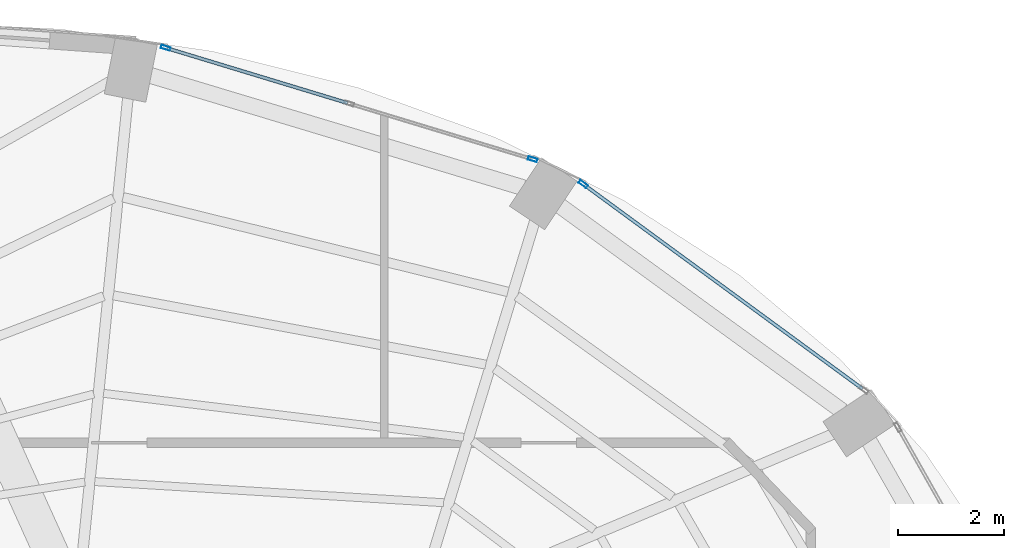
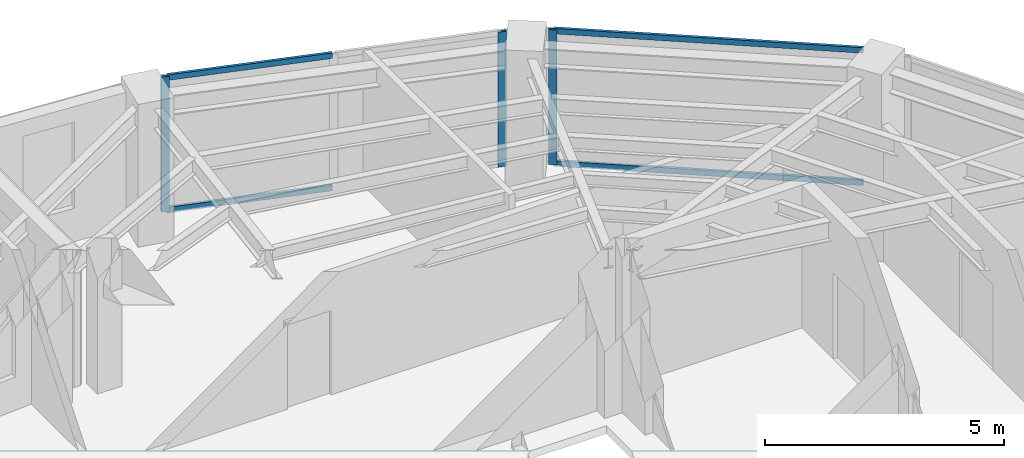
# One storey, part 17 of 23: 7 members, 2 elements without a shape of their own.
"""IFC4 building model written with IfcOpenShell, lengths in metres."""

import ifcopenshell
import ifcopenshell.guid

model = None  # the IFC model being written
_history = None  # IfcOwnerHistory: only IFC2X3 demands one
_inside = {}  # id of a spatial element -> (the spatial element, [elements in it])
_under = {}  # id of a project, library or spatial element -> (it, [spatial elements below it])
_declared = {}  # id of a project -> (the project, [libraries it declares])
_typed = {}  # id of a type object -> (the type object, [elements of that type])
_made_of = {}  # id of a material, layer set ... -> (it, [elements and type objects made of it])


def new_model(schema):
    """Start an empty IFC model of exactly this schema.

    Asked for "IFC4X3", IfcOpenShell would pick the latest addendum, in which some entities
    have other attributes; the version numbers below select the first issue.
    IFC2X3 requires an IfcOwnerHistory on every rooted entity: one is made here for all.
    """
    global model, _history
    if schema == "IFC4X3":
        model = ifcopenshell.file(schema_version=(4, 3, 0, 0))
    else:
        model = ifcopenshell.file(schema=schema)
    _inside.clear()
    _under.clear()
    _declared.clear()
    _typed.clear()
    _made_of.clear()
    _history = None
    if model.schema == "IFC2X3":
        org = make("IfcOrganization", Name="unknown")
        user = make(
            "IfcPersonAndOrganization",
            ThePerson=make("IfcPerson", FamilyName="unknown"),
            TheOrganization=org,
        )
        app = make(
            "IfcApplication",
            ApplicationDeveloper=org,
            Version="unknown",
            ApplicationFullName="unknown",
            ApplicationIdentifier="unknown",
        )
        _history = make(
            "IfcOwnerHistory",
            OwningUser=user,
            OwningApplication=app,
            ChangeAction="ADDED",
            CreationDate=0,
        )
    return model


def make(cls, **values):
    """One entity of the class cls with the attributes given. An attribute that is None is left unset."""
    return model.create_entity(
        cls, **{name: value for name, value in values.items() if value is not None}
    )


def rooted(cls, **values):
    """An entity with a GlobalId (a new one), such as an element, a storey or a relation."""
    return make(cls, GlobalId=ifcopenshell.guid.new(), OwnerHistory=_history, **values)


def si_unit(unit_type, name, prefix=None):
    """IfcSIUnit, for example si_unit("LENGTHUNIT", "METRE", prefix="MILLI")."""
    return make("IfcSIUnit", UnitType=unit_type, Prefix=prefix, Name=name)


def assignment(units):
    """IfcUnitAssignment: the units of a project."""
    return None if units is None else make("IfcUnitAssignment", Units=units)


def point(xyz):
    """IfcCartesianPoint."""
    return None if xyz is None else make("IfcCartesianPoint", Coordinates=xyz)


def direction(xyz):
    """IfcDirection."""
    return None if xyz is None else make("IfcDirection", DirectionRatios=xyz)


def frame(location, z_axis=None, x_axis=None):
    """IfcAxis2Placement3D, a coordinate frame: its origin and axes. An axis left out is left unset."""
    return make(
        "IfcAxis2Placement3D",
        Location=point(location),
        Axis=direction(z_axis),
        RefDirection=direction(x_axis),
    )


def frame_2d(location, x_axis=None):
    """IfcAxis2Placement2D, a coordinate frame in the plane: its origin and x axis."""
    return make(
        "IfcAxis2Placement2D", Location=point(location), RefDirection=direction(x_axis)
    )


def origin():
    """The frame at (0, 0, 0) with its axes left unset."""
    return frame((0.0, 0.0, 0.0))


def origin_2d():
    """The frame at (0, 0) in the plane with its x axis left unset."""
    return frame_2d((0.0, 0.0))


def place(relative_to, where):
    """IfcLocalPlacement: puts the frame where relative to a parent placement (None: the world)."""
    return make(
        "IfcLocalPlacement", PlacementRelTo=relative_to, RelativePlacement=where
    )


def context(
    kind, dimensions, precision=None, world=None, true_north=None, identifier=None
):
    """IfcGeometricRepresentationContext, for example the 3D "Model" context."""
    return make(
        "IfcGeometricRepresentationContext",
        ContextIdentifier=identifier,
        ContextType=kind,
        CoordinateSpaceDimension=dimensions,
        Precision=precision,
        WorldCoordinateSystem=world,
        TrueNorth=true_north,
    )


def subcontext(parent, identifier, kind, view, scale=None):
    """IfcGeometricRepresentationSubContext, for example "Body" below "Model"."""
    return make(
        "IfcGeometricRepresentationSubContext",
        ContextIdentifier=identifier,
        ContextType=kind,
        ParentContext=parent,
        TargetScale=scale,
        TargetView=view,
    )


def project(units=None, contexts=None):
    """IfcProject with its units and contexts."""
    return rooted(
        "IfcProject",
        Name="project",
        RepresentationContexts=contexts,
        UnitsInContext=assignment(units),
    )


def spatial(cls, under=None, at=None, **own):
    """A site, building, storey or space (cls), placed at a placement, below another one or the project."""
    s = rooted(cls, ObjectPlacement=at, **own)
    if under is not None:
        _under.setdefault(under.id(), (under, []))[1].append(s)
    return s


def profile(cls, at=None, kind="AREA", **sizes):
    """A parametric profile (cls). Its sizes go by their IFC names, for example OverallWidth=200.0."""
    return make(cls, ProfileType=kind, Position=at, **sizes)


def hollow_rectangle(**sizes):
    """IfcRectangleHollowProfileDef."""
    return profile("IfcRectangleHollowProfileDef", **sizes)


def extrude(swept, where, along, depth):
    """IfcExtrudedAreaSolid: the profile swept, set in the frame where, extruded along a direction by depth."""
    return make(
        "IfcExtrudedAreaSolid",
        SweptArea=swept,
        Position=where,
        ExtrudedDirection=direction(along),
        Depth=depth,
    )


def shape(context_of_items, identifier, shape_type, items):
    """IfcShapeRepresentation: the items that make up one representation, for example the "Body"."""
    return make(
        "IfcShapeRepresentation",
        ContextOfItems=context_of_items,
        RepresentationIdentifier=identifier,
        RepresentationType=shape_type,
        Items=items,
    )


def material(Name=None, Category=None):
    """IfcMaterial."""
    return make("IfcMaterial", Name=Name, Category=Category)


def layer(
    of_material, thickness, ventilated=None, Name=None, Category=None, Priority=None
):
    """IfcMaterialLayer: one layer of a wall or slab, of a material (None: an air gap)."""
    return make(
        "IfcMaterialLayer",
        Material=of_material,
        LayerThickness=thickness,
        IsVentilated=ventilated,
        Name=Name,
        Category=Category,
        Priority=Priority,
    )


def layer_set(layers, Name=None):
    """IfcMaterialLayerSet."""
    return make("IfcMaterialLayerSet", MaterialLayers=layers, LayerSetName=Name)


def material_profile(
    of_material, cross_section, Name=None, Category=None, Priority=None
):
    """IfcMaterialProfile: a cross section and its material."""
    return make(
        "IfcMaterialProfile",
        Name=Name,
        Material=of_material,
        Profile=cross_section,
        Priority=Priority,
        Category=Category,
    )


def profile_set(profiles, Name=None, composite=None):
    """IfcMaterialProfileSet."""
    return make(
        "IfcMaterialProfileSet",
        Name=Name,
        MaterialProfiles=profiles,
        CompositeProfile=composite,
    )


def made_of(thing, what):
    """Note that an element or type object is made of a material, layer set ...; save() writes the relation."""
    if what is not None:
        _made_of.setdefault(what.id(), (what, []))[1].append(thing)
    return thing


def type_object(cls, material=None, **own):
    """A type object (cls), such as IfcWallType, which elements share."""
    return made_of(rooted(cls, **own), material)


def element(
    cls,
    number,
    at=None,
    inside=None,
    cuts=None,
    type_object=None,
    material=None,
    context=None,
    identifier="Body",
    shape_type=None,
    held_by="IfcProductDefinitionShape",
    body=None,
    shapes=None,
    **own,
):
    """One element of the class cls, such as IfcWall. Its Tag is "e" and its number.

    at: its placement. inside: the storey or other place that contains it. cuts: it is an
    opening in that element (IfcRelVoidsElement). A single representation is given by context,
    identifier, shape_type and body (its items); several are given by shapes. held_by: the class
    of the entity that holds the representations. save() writes the other relations.
    """
    e = rooted(cls, Tag="e%d" % number, ObjectPlacement=at, **own)
    if body is not None:
        shapes = [shape(context, identifier, shape_type, body)]
    if shapes is not None:
        e.Representation = make(held_by, Representations=shapes)
    if inside is not None:
        _inside.setdefault(inside.id(), (inside, []))[1].append(e)
    if cuts is not None:
        rooted(
            "IfcRelVoidsElement", RelatingBuildingElement=cuts, RelatedOpeningElement=e
        )
    if type_object is not None:
        _typed.setdefault(type_object.id(), (type_object, []))[1].append(e)
    return made_of(e, material)


def aggregate(whole, parts):
    """IfcRelAggregates: a whole, such as a stair, and the parts it consists of."""
    return rooted("IfcRelAggregates", RelatingObject=whole, RelatedObjects=parts)


def save(model, path):
    """Write the relations noted so far, then the file.

    IfcRelAggregates (storeys below a building ...), IfcRelContainedInSpatialStructure (elements
    in a storey), IfcRelDefinesByType, IfcRelAssociatesMaterial and IfcRelDeclares: one each for
    every whole, place, type object, material and project.
    """
    for whole, parts in _under.values():
        aggregate(whole, parts)
    for where, things in _inside.values():
        rooted(
            "IfcRelContainedInSpatialStructure",
            RelatedElements=things,
            RelatingStructure=where,
        )
    for kind, things in _typed.values():
        rooted("IfcRelDefinesByType", RelatedObjects=things, RelatingType=kind)
    for what, things in _made_of.values():
        rooted("IfcRelAssociatesMaterial", RelatedObjects=things, RelatingMaterial=what)
    for by, libraries in _declared.values():
        rooted("IfcRelDeclares", RelatingContext=by, RelatedDefinitions=libraries)
    model.write(path)


model = new_model("IFC4")

# Units and contexts
model_context = context("Model", 3, precision=1e-05, world=origin(), true_north=direction((0.0, 1.0)))
body_context = subcontext(model_context, "Body", "Model", "MODEL_VIEW")
ifc_project = project(units=[si_unit("LENGTHUNIT", "METRE"), si_unit("AREAUNIT", "SQUARE_METRE"), si_unit("VOLUMEUNIT", "CUBIC_METRE"), si_unit("PLANEANGLEUNIT", "RADIAN"), si_unit("MASSUNIT", "GRAM", prefix="KILO")], contexts=[model_context])

# Site, building, storey
site_placement = place(None, origin())
site = spatial("IfcSite", under=ifc_project, at=site_placement, CompositionType="ELEMENT")
building_placement = place(site_placement, origin())
building = spatial("IfcBuilding", under=site, at=building_placement, Name="Lazwardi Medical Tower", CompositionType="ELEMENT")
storey_placement = place(building_placement, frame((0.0, 0.0, 262.320068359375)))
storey = spatial("IfcBuildingStorey", under=building, at=storey_placement, Name="L68", CompositionType="ELEMENT", Elevation=262.320068359375)

# Curtain wall, member
ifc_material_1 = material(Name="Anodised bronze aluminium and solar control glazing", Category="aluminium")
ifc_layer = layer(ifc_material_1, 0.18994140625)
ifc_layer_set = layer_set([ifc_layer], Name="Anodised bronze aluminium and solar control glazing")
curtain_wall_type = type_object("IfcCurtainWallType", Name="CW-SYS-04", PredefinedType="NOTDEFINED", material=ifc_layer_set)
curtain_wall_1_placement = place(storey_placement, origin())
curtain_wall_1 = element("IfcCurtainWall", 1, at=curtain_wall_1_placement, inside=storey, type_object=curtain_wall_type, Name="L68 Unitised bronze curtain wall CW-04", PredefinedType="NOTDEFINED")
ifc_material_2 = material(Name="Anodised bronze aluminium", Category="aluminium")
ifc_material_profile_1 = material_profile(ifc_material_2, hollow_rectangle(XDim=0.06494140625, YDim=0.179931640625, WallThickness=0.00390625, at=origin_2d()), Name="ALU-MULLION 180x65x4")
ifc_profile_set_1 = profile_set([ifc_material_profile_1], Name="Anodised bronze aluminium")
member_type_1 = type_object("IfcMemberType", Name="CW-MUL-03", PredefinedType="MULLION", material=ifc_profile_set_1)
member_1_placement = place(storey_placement, frame((48.75537109375, 43.634765625, 0.0), z_axis=(0.0, 0.0, 1.0), x_axis=(-0.591268230971, -0.806474971121, 0.0)))
member_1 = element("IfcMember", 2, at=member_1_placement, type_object=member_type_1, Name="CW-04 mullion 2", PredefinedType="MULLION", context=body_context, shape_type="SweptSolid", body=[
    extrude(hollow_rectangle(XDim=0.06494140625, YDim=0.179931640625, WallThickness=0.00390625, at=origin_2d()), origin(), (0.0, 0.0, 1.0), 3.447998046875),
])

# Curtain wall, members
curtain_wall_2_placement = place(storey_placement, origin())
curtain_wall_2 = element("IfcCurtainWall", 3, at=curtain_wall_2_placement, inside=storey, type_object=curtain_wall_type, Name="L68 Unitised bronze curtain wall CW-04", PredefinedType="NOTDEFINED")
member_2_placement = place(storey_placement, frame((47.7998046875, 44.103515625, 0.0), z_axis=(0.0, 0.0, 1.0), x_axis=(-0.290581889515, -0.956850126972, 0.0)))
member_2 = element("IfcMember", 4, at=member_2_placement, type_object=member_type_1, Name="CW-04 mullion 1", PredefinedType="MULLION", context=body_context, shape_type="SweptSolid", body=[
    extrude(hollow_rectangle(XDim=0.06494140625, YDim=0.179931640625, WallThickness=0.00390625, at=origin_2d()), origin(), (0.0, 0.0, 1.0), 3.447998046875),
])
member_3_placement = place(storey_placement, frame((40.873046875, 46.20703125, 0.0), z_axis=(0.0, 0.0, 1.0), x_axis=(-0.290581889515, -0.956850126972, 0.0)))
member_3 = element("IfcMember", 5, at=member_3_placement, type_object=member_type_1, Name="CW-04 mullion 3", PredefinedType="MULLION", context=body_context, shape_type="SweptSolid", body=[
    extrude(hollow_rectangle(XDim=0.06494140625, YDim=0.179931640625, WallThickness=0.00390625, at=origin_2d()), origin(), (0.0, 0.0, 1.0), 3.447998046875),
])

# Member
ifc_material_profile_2 = material_profile(ifc_material_2, hollow_rectangle(XDim=0.06494140625, YDim=0.139892578125, WallThickness=0.00341796875, at=origin_2d()), Name="ALU-TRANSOM 140x65x3.5")
ifc_profile_set_2 = profile_set([ifc_material_profile_2], Name="Anodised bronze aluminium")
member_type_2 = type_object("IfcMemberType", Name="CW-TRN-03", PredefinedType="USERDEFINED", material=ifc_profile_set_2)
member_4_placement = place(storey_placement, frame((54.02587890625, 39.770751953125, 0.032470703125), z_axis=(-0.806471831148, 0.591272513791, 0.0), x_axis=(-0.591272513791, -0.806471831148, 0.0)))
member_4 = element("IfcMember", 6, at=member_4_placement, type_object=member_type_2, Name="CW-04 transom 1.1", ObjectType="TRANSOM", PredefinedType="USERDEFINED", context=body_context, shape_type="SweptSolid", body=[
    extrude(hollow_rectangle(XDim=0.06494140625, YDim=0.139892578125, WallThickness=0.00341796875, at=origin_2d()), origin(), (0.0, 0.0, 1.0), 6.5029296875),
])

member_5_placement = place(storey_placement, frame((54.02587890625, 39.770751953125, 3.41552734375), z_axis=(-0.806471831148, 0.591272513791, 0.0), x_axis=(-0.591272513791, -0.806471831148, 0.0)))
member_5 = element("IfcMember", 7, at=member_5_placement, type_object=member_type_2, Name="CW-04 transom 1.2", ObjectType="TRANSOM", PredefinedType="USERDEFINED", context=body_context, shape_type="SweptSolid", body=[
    extrude(hollow_rectangle(XDim=0.06494140625, YDim=0.139892578125, WallThickness=0.00341796875, at=origin_2d()), origin(), (0.0, 0.0, 1.0), 6.5029296875),
])

aggregate(curtain_wall_1, [member_1, member_4, member_5])

member_6_placement = place(storey_placement, frame((44.305419921875, 45.164794921875, 0.032470703125), z_axis=(-0.956862505902, 0.290541124109, 0.0), x_axis=(-0.290541124109, -0.956862505902, 0.0)))
member_6 = element("IfcMember", 8, at=member_6_placement, type_object=member_type_2, Name="CW-04 transom 2.1", ObjectType="TRANSOM", PredefinedType="USERDEFINED", context=body_context, shape_type="SweptSolid", body=[
    extrude(hollow_rectangle(XDim=0.06494140625, YDim=0.139892578125, WallThickness=0.00341796875, at=origin_2d()), origin(), (0.0, 0.0, 1.0), 3.554443359375),
])

member_7_placement = place(storey_placement, frame((44.305419921875, 45.164794921875, 3.41552734375), z_axis=(-0.956862505902, 0.290541124109, 0.0), x_axis=(-0.290541124109, -0.956862505902, 0.0)))
member_7 = element("IfcMember", 9, at=member_7_placement, type_object=member_type_2, Name="CW-04 transom 2.2", ObjectType="TRANSOM", PredefinedType="USERDEFINED", context=body_context, shape_type="SweptSolid", body=[
    extrude(hollow_rectangle(XDim=0.06494140625, YDim=0.139892578125, WallThickness=0.00341796875, at=origin_2d()), origin(), (0.0, 0.0, 1.0), 3.554443359375),
])

aggregate(curtain_wall_2, [member_2, member_3, member_6, member_7])

save(model, "model.ifc")
